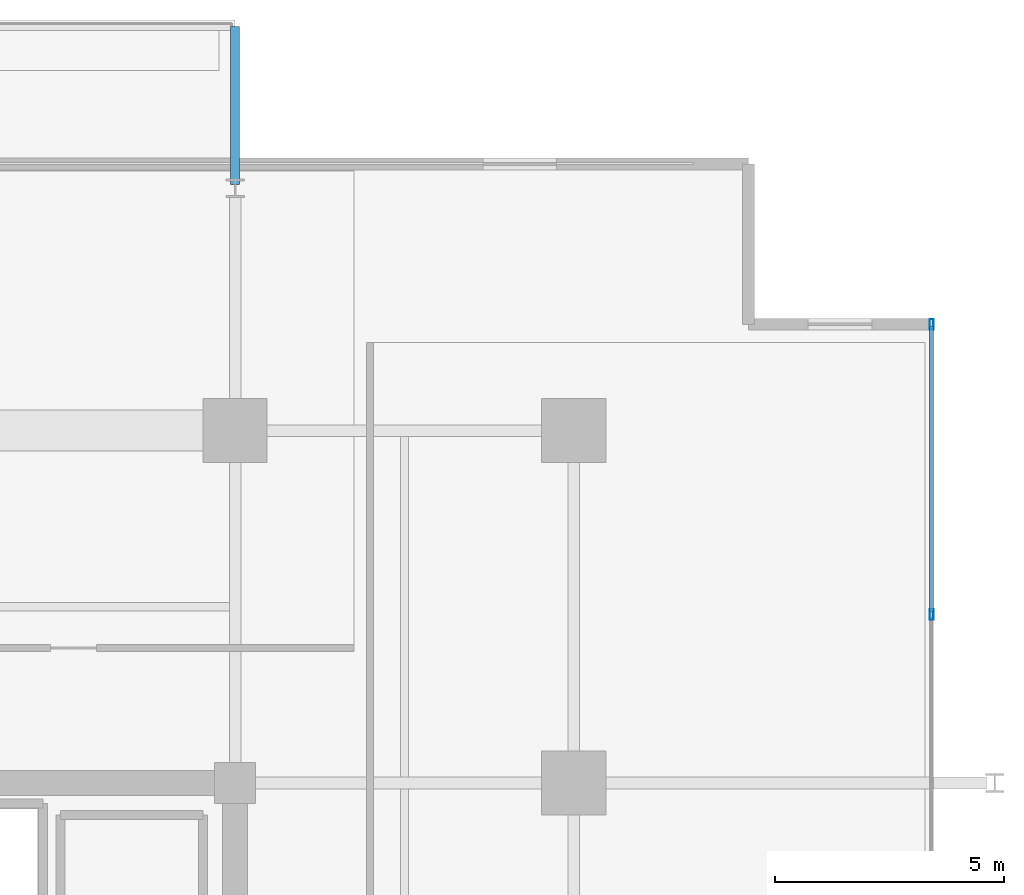
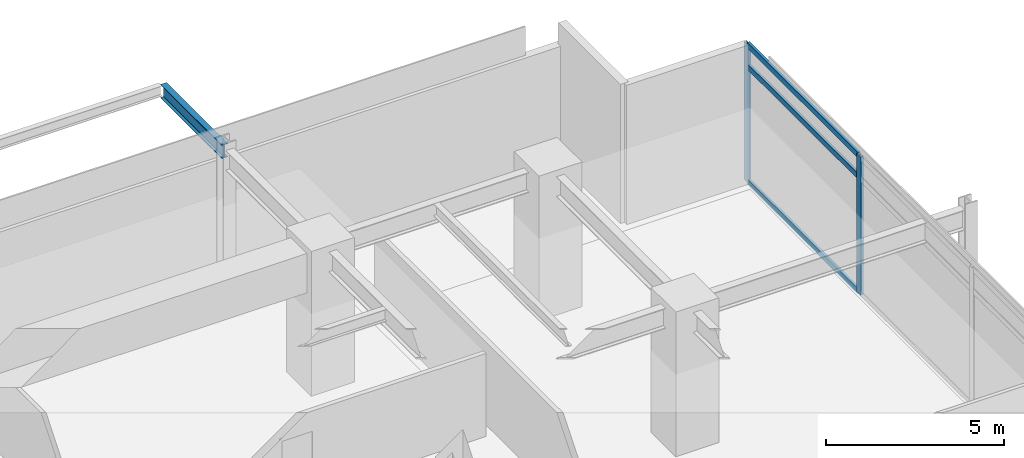
# One storey, part 12 of 21: 5 members, 1 beam, 1 element without a shape of its own.
"""IFC4 building model written with IfcOpenShell, lengths in metres."""

from ifc_helpers import new_model, si_unit, direction, frame, origin, origin_2d, place, context, subcontext, project, spatial, hollow_rectangle, i_section, extrude, material, material_profile, profile_set, type_object, element, aggregate, save


model = new_model("IFC4")

# Units and contexts
model_context = context("Model", 3, precision=1e-05, world=origin(), true_north=direction((0.0, 1.0)))
body_context = subcontext(model_context, "Body", "Model", "MODEL_VIEW")
ifc_project = project(units=[si_unit("LENGTHUNIT", "METRE"), si_unit("AREAUNIT", "SQUARE_METRE"), si_unit("VOLUMEUNIT", "CUBIC_METRE"), si_unit("PLANEANGLEUNIT", "RADIAN"), si_unit("MASSUNIT", "GRAM", prefix="KILO")], contexts=[model_context])

# Site, building, storey
site_placement = place(None, origin())
site = spatial("IfcSite", under=ifc_project, at=site_placement, CompositionType="ELEMENT")
building_placement = place(site_placement, origin())
building = spatial("IfcBuilding", under=site, at=building_placement, Name="Kovane Verandah Tower", CompositionType="ELEMENT")
storey_placement = place(building_placement, frame((0.0, 0.0, 238.199951171875)))
storey = spatial("IfcBuildingStorey", under=building, at=storey_placement, Name="L55", CompositionType="ELEMENT", Elevation=238.199951171875)

# Curtain wall, members
ifc_material_1 = material(Name="Champagne Anodised Aluminium Frame with Low-E Clear Laminated Glass", Category="aluminium")
curtain_wall_type = type_object("IfcCurtainWallType", Name="CW-SYS-03-MID", PredefinedType="NOTDEFINED", material=ifc_material_1)
curtain_wall_placement = place(storey_placement, origin())
curtain_wall = element("IfcCurtainWall", 1, at=curtain_wall_placement, inside=storey, type_object=curtain_wall_type, Name="L55 E Unitised Curtain Wall", PredefinedType="NOTDEFINED")
ifc_material_2 = material(Name="Champagne Anodised Aluminium 6063-T6", Category="aluminium")
ifc_material_profile_1 = material_profile(ifc_material_2, hollow_rectangle(XDim=0.0849609375, YDim=0.22998046875, WallThickness=0.00390625, at=origin_2d()), Name="AL85x230x4")
ifc_profile_set_1 = profile_set([ifc_material_profile_1], Name="Champagne Anodised Aluminium 6063-T6")
member_type_1 = type_object("IfcMemberType", Name="CW-MUL-85x230", PredefinedType="MULLION", material=ifc_profile_set_1)
member_1_placement = place(storey_placement, frame((66.220703125, 40.182373046875, 0.02001953125), z_axis=(0.0, 0.0, 1.0), x_axis=(1.0, 0.0, 0.0)))
member_1 = element("IfcMember", 2, at=member_1_placement, type_object=member_type_1, Name="L55 E Unitised Curtain Wall Mullion 6", PredefinedType="MULLION", context=body_context, shape_type="SweptSolid", body=[
    extrude(hollow_rectangle(XDim=0.0849609375, YDim=0.22998046875, WallThickness=0.00390625, at=origin_2d()), origin(), (0.0, 0.0, 1.0), 4.7451171875),
])
member_2_placement = place(storey_placement, frame((66.220703125, 46.5234375, 0.02001953125), z_axis=(0.0, 0.0, 1.0), x_axis=(1.0, 0.0, 0.0)))
member_2 = element("IfcMember", 3, at=member_2_placement, type_object=member_type_1, Name="L55 E Unitised Curtain Wall Mullion 7", PredefinedType="MULLION", context=body_context, shape_type="SweptSolid", body=[
    extrude(hollow_rectangle(XDim=0.0849609375, YDim=0.22998046875, WallThickness=0.00390625, at=origin_2d()), origin(), (0.0, 0.0, 1.0), 4.7451171875),
])
ifc_material_profile_2 = material_profile(ifc_material_2, hollow_rectangle(XDim=0.0849609375, YDim=0.18994140625, WallThickness=0.00390625, at=origin_2d()), Name="AL85x190x4")
ifc_profile_set_2 = profile_set([ifc_material_profile_2], Name="Champagne Anodised Aluminium 6063-T6")
member_type_2 = type_object("IfcMemberType", Name="CW-TRN-85x190", PredefinedType="USERDEFINED", material=ifc_profile_set_2)
member_3_placement = place(storey_placement, frame((66.220703125, 40.232421875, 0.050048828125), z_axis=(0.0, 1.0, 0.0), x_axis=(-1.0, 0.0, 0.0)))
member_3 = element("IfcMember", 4, at=member_3_placement, type_object=member_type_2, Name="L55 E Unitised Curtain Wall Transom TB Bay 6", ObjectType="TRANSOM", PredefinedType="USERDEFINED", context=body_context, shape_type="SweptSolid", body=[
    extrude(hollow_rectangle(XDim=0.0849609375, YDim=0.18994140625, WallThickness=0.00390625, at=origin_2d()), origin(), (0.0, 0.0, 1.0), 6.240966796875),
])
member_4_placement = place(storey_placement, frame((66.220703125, 40.232421875, 4.005126953125), z_axis=(0.0, 1.0, 0.0), x_axis=(-1.0, 0.0, 0.0)))
member_4 = element("IfcMember", 5, at=member_4_placement, type_object=member_type_2, Name="L55 E Unitised Curtain Wall Transom TM Bay 6", ObjectType="TRANSOM", PredefinedType="USERDEFINED", context=body_context, shape_type="SweptSolid", body=[
    extrude(hollow_rectangle(XDim=0.0849609375, YDim=0.18994140625, WallThickness=0.00390625, at=origin_2d()), origin(), (0.0, 0.0, 1.0), 6.240966796875),
])
member_5_placement = place(storey_placement, frame((66.220703125, 40.232421875, 4.735107421875), z_axis=(0.0, 1.0, 0.0), x_axis=(-1.0, 0.0, 0.0)))
member_5 = element("IfcMember", 6, at=member_5_placement, type_object=member_type_2, Name="L55 E Unitised Curtain Wall Transom TT Bay 6", ObjectType="TRANSOM", PredefinedType="USERDEFINED", context=body_context, shape_type="SweptSolid", body=[
    extrude(hollow_rectangle(XDim=0.0849609375, YDim=0.18994140625, WallThickness=0.00390625, at=origin_2d()), origin(), (0.0, 0.0, 1.0), 6.240966796875),
])
aggregate(curtain_wall, [member_1, member_2, member_3, member_4, member_5])

# Beam
ifc_material_3 = material(Name="Steel S355", Category="steel")
ifc_material_profile_3 = material_profile(ifc_material_3, i_section(OverallWidth=0.19287109375, OverallDepth=0.46728515625, WebThickness=0.011474609375, FlangeThickness=0.01953125, FilletRadius=0.01025390625, at=origin_2d()), Name="UB457x191x98")
ifc_profile_set_3 = profile_set([ifc_material_profile_3], Name="Steel S355")
beam_type = type_object("IfcBeamType", Name="JST-UB457x98", PredefinedType="JOIST", material=ifc_profile_set_3)
beam_placement = place(storey_placement, frame((51.0, 49.580078125, 4.5263671875), z_axis=(0.0, 1.0, 0.0), x_axis=(-1.0, 0.0, 0.0)))
element("IfcBeam", 7, at=beam_placement, inside=storey, type_object=beam_type, Name="L55 North Planter Girder 2", PredefinedType="JOIST", context=body_context, shape_type="SweptSolid", body=[
    extrude(i_section(OverallWidth=0.19287109375, OverallDepth=0.46728515625, WebThickness=0.011474609375, FlangeThickness=0.01953125, FilletRadius=0.01025390625, at=origin_2d()), origin(), (0.0, 0.0, 1.0), 3.449951171875),
])

save(model, "model.ifc")
